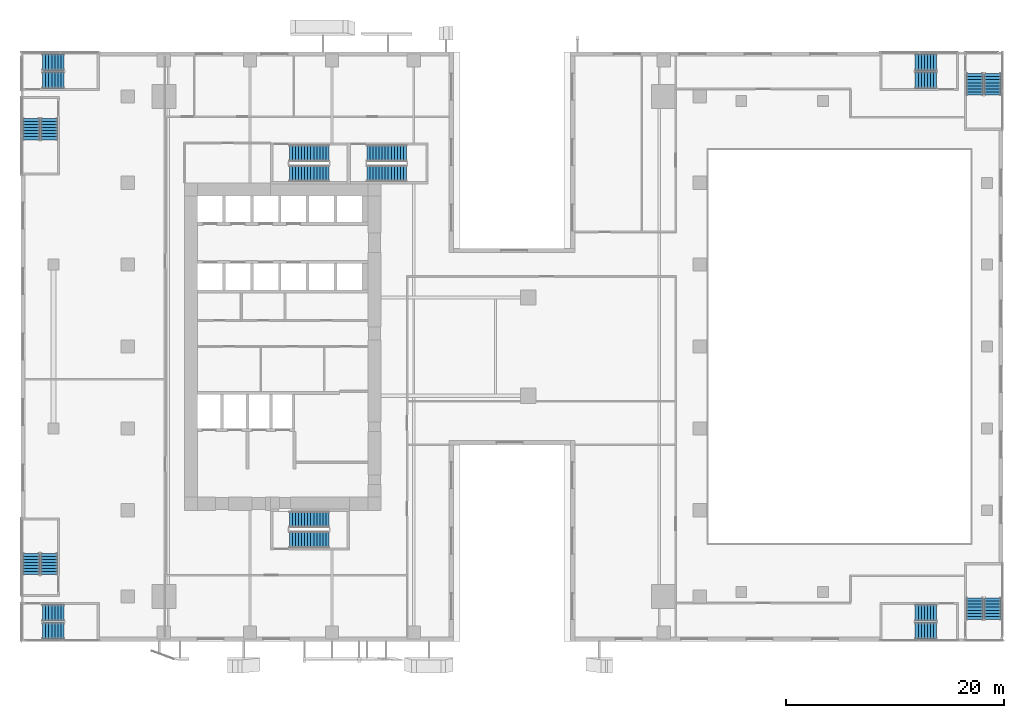
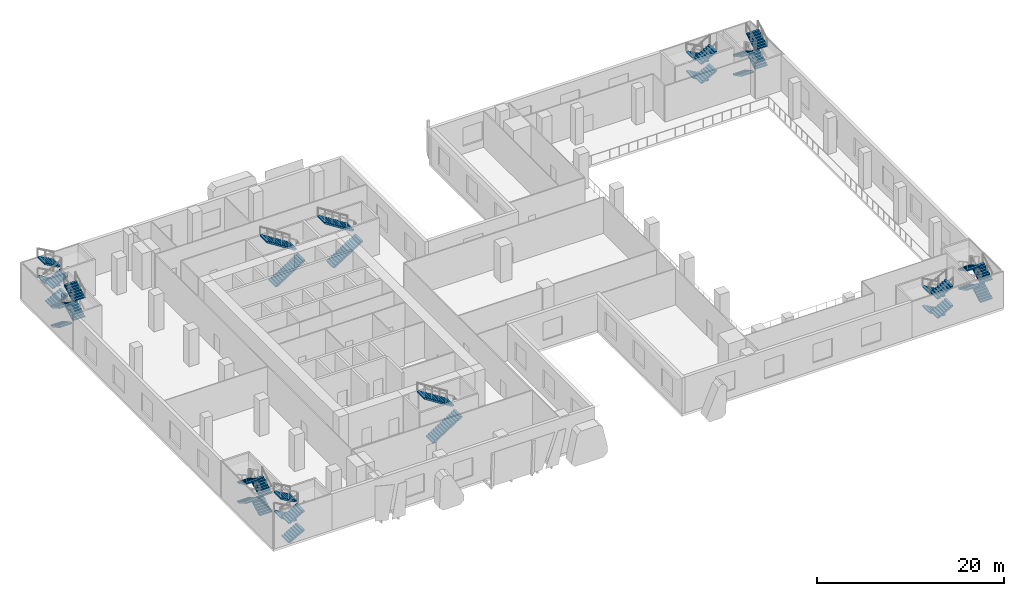
# One storey, part 15 of 23: 38 stair flights, 11 elements without a shape of their own.
"""IFC4 building model written with IfcOpenShell, lengths in metres."""

from ifc_helpers import new_model, si_unit, direction, frame, origin, place, context, subcontext, project, spatial, polyline, outline, extrude, source, transform, mapped, material, type_object, element, aggregate, save


model = new_model("IFC4")

# Units and contexts
model_context = context("Model", 3, precision=1e-05, world=origin(), true_north=direction((0.0, 1.0)))
body_context = subcontext(model_context, "Body", "Model", "MODEL_VIEW")
ifc_project = project(units=[si_unit("LENGTHUNIT", "METRE"), si_unit("AREAUNIT", "SQUARE_METRE"), si_unit("VOLUMEUNIT", "CUBIC_METRE"), si_unit("PLANEANGLEUNIT", "RADIAN"), si_unit("MASSUNIT", "GRAM", prefix="KILO")], contexts=[model_context])

# Site, building, storey
site_placement = place(None, origin())
site = spatial("IfcSite", under=ifc_project, at=site_placement, CompositionType="ELEMENT")
building_placement = place(site_placement, origin())
building = spatial("IfcBuilding", under=site, at=building_placement, Name="Khomas Fold Tower", CompositionType="ELEMENT")
storey_placement = place(building_placement, frame((0.0, 0.0, 18.5)))
storey = spatial("IfcBuildingStorey", under=building, at=storey_placement, Name="L03", CompositionType="ELEMENT", Elevation=18.5)

# Stair, stair flights
ifc_material_1 = material(Name="Concrete C40/50", Category="concrete")
stair_type_1 = type_object("IfcStairType", Name="Stair ST1", PredefinedType="HALF_TURN_STAIR", material=ifc_material_1)
stair_1_placement = place(storey_placement, origin())
stair_1 = element("IfcStair", 1, at=stair_1_placement, inside=storey, type_object=stair_type_1, Name="L03 ST1", PredefinedType="HALF_TURN_STAIR")
ifc_material_2 = material(Name="Concrete C40/50", Category="concrete")
stair_flight_type_1 = type_object("IfcStairFlightType", Name="Stair flight 1500 ST1", PredefinedType="STRAIGHT", material=ifc_material_2)
shared_shape_1 = source(origin(), body_context, "Body", "SweptSolid", [
    extrude(outline(polyline([(0.0, 0.0), (0.0, 0.013671875), (0.0, 0.027587890625), (0.0, 0.041259765625), (0.0, 0.054931640625), (0.0, 0.068603515625), (0.0, 0.08251953125), (0.0, 0.09619140625), (0.0, 0.10986328125), (0.0, 0.12353515625), (0.0, 0.137451171875), (0.0, 0.151123046875), (0.0, 0.164794921875), (0.0, 0.178466796875), (0.280029296875, 0.178466796875), (0.280029296875, 0.357177734375), (0.56005859375, 0.357177734375), (0.56005859375, 0.53564453125), (0.840087890625, 0.53564453125), (0.840087890625, 0.71435546875), (1.1201171875, 0.71435546875), (1.1201171875, 0.892822265625), (1.39990234375, 0.892822265625), (1.39990234375, 1.071533203125), (1.679931640625, 1.071533203125), (1.679931640625, 1.25), (1.9599609375, 1.25), (1.9599609375, 1.428466796875), (2.239990234375, 1.428466796875), (2.239990234375, 1.607177734375), (2.52001953125, 1.607177734375), (2.52001953125, 1.78564453125), (2.800048828125, 1.78564453125), (2.800048828125, 1.96435546875), (3.080078125, 1.96435546875), (3.080078125, 2.142822265625), (3.360107421875, 2.142822265625), (3.360107421875, 2.321533203125), (3.639892578125, 2.321533203125), (3.639892578125, 2.5), (3.639892578125, 2.47265625), (3.639892578125, 2.445068359375), (3.639892578125, 2.417724609375), (3.639892578125, 2.390380859375), (3.639892578125, 2.363037109375), (3.639892578125, 2.33544921875), (3.639892578125, 2.30810546875), (3.639892578125, 2.28076171875), (3.639892578125, 2.253173828125), (3.639892578125, 2.225830078125), (3.639892578125, 2.198486328125), (3.639892578125, 2.171142578125), (3.639892578125, 2.1435546875), (0.27880859375, 0.0), (0.0, 0.0)])), frame((0.0, 0.75, 0.0), z_axis=(0.0, -1.0, 0.0), x_axis=(1.0, 0.0, 0.0)), (0.0, 0.0, 1.0), 1.5),
])
stair_flight_1_placement = place(storey_placement, frame((15.60009765625, 42.85009765625, 0.0), z_axis=(0.0, 0.0, 1.0), x_axis=(1.0, 0.0, 0.0)))
stair_flight_1 = element("IfcStairFlight", 2, at=stair_flight_1_placement, type_object=stair_flight_type_1, Name="ST1 flight 1", NumberOfRisers=14, NumberOfTreads=13, PredefinedType="STRAIGHT", RiserHeight=0.178571429, TreadLength=0.28, context=body_context, shape_type="MappedRepresentation", body=[
    mapped(shared_shape_1, transform((0.0, 0.0, 0.0))),
])
stair_flight_2_placement = place(storey_placement, frame((19.239990234375, 44.699951171875, 2.5), z_axis=(0.0, 0.0, 1.0), x_axis=(-1.0, 0.0, 0.0)))
stair_flight_2 = element("IfcStairFlight", 3, at=stair_flight_2_placement, type_object=stair_flight_type_1, Name="ST1 flight 2", NumberOfRisers=14, NumberOfTreads=13, PredefinedType="STRAIGHT", RiserHeight=0.178571429, TreadLength=0.28, context=body_context, shape_type="MappedRepresentation", body=[
    mapped(shared_shape_1, transform((0.0, 0.0, 0.0))),
])
aggregate(stair_1, [stair_flight_1, stair_flight_2])

ifc_material_3 = material(Name="Concrete C40/50", Category="concrete")
stair_type_2 = type_object("IfcStairType", Name="Stair ST2", PredefinedType="HALF_TURN_STAIR", material=ifc_material_3)
stair_2_placement = place(storey_placement, origin())
stair_2 = element("IfcStair", 4, at=stair_2_placement, inside=storey, type_object=stair_type_2, Name="L03 ST2", PredefinedType="HALF_TURN_STAIR")
ifc_material_4 = material(Name="Concrete C40/50", Category="concrete")
stair_flight_type_2 = type_object("IfcStairFlightType", Name="Stair flight 1500 ST2", PredefinedType="STRAIGHT", material=ifc_material_4)
stair_flight_3_placement = place(storey_placement, frame((15.60009765625, 9.300048828125, 0.0), z_axis=(0.0, 0.0, 1.0), x_axis=(1.0, 0.0, 0.0)))
stair_flight_3 = element("IfcStairFlight", 5, at=stair_flight_3_placement, type_object=stair_flight_type_2, Name="ST2 flight 1", NumberOfRisers=14, NumberOfTreads=13, PredefinedType="STRAIGHT", RiserHeight=0.178571429, TreadLength=0.28, context=body_context, shape_type="MappedRepresentation", body=[
    mapped(shared_shape_1, transform((0.0, 0.0, 0.0))),
])
stair_flight_4_placement = place(storey_placement, frame((19.239990234375, 11.14990234375, 2.5), z_axis=(0.0, 0.0, 1.0), x_axis=(-1.0, 0.0, 0.0)))
stair_flight_4 = element("IfcStairFlight", 6, at=stair_flight_4_placement, type_object=stair_flight_type_2, Name="ST2 flight 2", NumberOfRisers=14, NumberOfTreads=13, PredefinedType="STRAIGHT", RiserHeight=0.178571429, TreadLength=0.28, context=body_context, shape_type="MappedRepresentation", body=[
    mapped(shared_shape_1, transform((0.0, 0.0, 0.0))),
])
aggregate(stair_2, [stair_flight_3, stair_flight_4])

ifc_material_5 = material(Name="Concrete C40/50", Category="concrete")
stair_type_3 = type_object("IfcStairType", Name="Stair ST3", PredefinedType="HALF_TURN_STAIR", material=ifc_material_5)
stair_3_placement = place(storey_placement, origin())
stair_3 = element("IfcStair", 7, at=stair_3_placement, inside=storey, type_object=stair_type_3, Name="L03 ST3", PredefinedType="HALF_TURN_STAIR")
ifc_material_6 = material(Name="Concrete C40/50", Category="concrete")
stair_flight_type_3 = type_object("IfcStairFlightType", Name="Stair flight 1500 ST3", PredefinedType="STRAIGHT", material=ifc_material_6)
stair_flight_5_placement = place(storey_placement, frame((22.699951171875, 42.85009765625, 0.0), z_axis=(0.0, 0.0, 1.0), x_axis=(1.0, 0.0, 0.0)))
stair_flight_5 = element("IfcStairFlight", 8, at=stair_flight_5_placement, type_object=stair_flight_type_3, Name="ST3 flight 1", NumberOfRisers=14, NumberOfTreads=13, PredefinedType="STRAIGHT", RiserHeight=0.178571429, TreadLength=0.28, context=body_context, shape_type="MappedRepresentation", body=[
    mapped(shared_shape_1, transform((0.0, 0.0, 0.0))),
])
stair_flight_6_placement = place(storey_placement, frame((26.340087890625, 44.699951171875, 2.5), z_axis=(0.0, 0.0, 1.0), x_axis=(-1.0, 0.0, 0.0)))
stair_flight_6 = element("IfcStairFlight", 9, at=stair_flight_6_placement, type_object=stair_flight_type_3, Name="ST3 flight 2", NumberOfRisers=14, NumberOfTreads=13, PredefinedType="STRAIGHT", RiserHeight=0.178571429, TreadLength=0.28, context=body_context, shape_type="MappedRepresentation", body=[
    mapped(shared_shape_1, transform((0.0, 0.0, 0.0))),
])
aggregate(stair_3, [stair_flight_5, stair_flight_6])

ifc_material_7 = material(Name="Concrete C40/50", Category="concrete")
stair_type_4 = type_object("IfcStairType", Name="Stair PS1", PredefinedType="HALF_TURN_STAIR", material=ifc_material_7)
stair_4_placement = place(storey_placement, origin())
stair_4 = element("IfcStair", 10, at=stair_4_placement, inside=storey, type_object=stair_type_4, Name="L03 PS1", PredefinedType="HALF_TURN_STAIR")
ifc_material_8 = material(Name="Concrete C40/50", Category="concrete")
stair_flight_type_4 = type_object("IfcStairFlightType", Name="Stair flight 1500 PS1", PredefinedType="STRAIGHT", material=ifc_material_8)
shared_shape_2 = source(origin(), body_context, "Body", "SweptSolid", [
    extrude(outline(polyline([(0.0, 0.0), (0.0, 0.001220703125), (0.0, 0.002685546875), (0.0, 0.00390625), (0.0, 0.005126953125), (0.0, 0.00634765625), (0.0, 0.0078125), (0.0, 0.009033203125), (0.0, 0.01025390625), (0.0, 0.01171875), (0.0, 0.012939453125), (0.0, 0.01416015625), (0.0, 0.015380859375), (0.0, 0.016845703125), (0.0, 0.01806640625), (0.0, 0.019287109375), (0.0, 0.020751953125), (0.0, 0.02197265625), (0.0, 0.023193359375), (0.0, 0.0244140625), (0.0, 0.02587890625), (0.0, 0.027099609375), (0.0, 0.0283203125), (0.0, 0.02978515625), (0.0, 0.031005859375), (0.0, 0.0322265625), (0.0, 0.03369140625), (0.0, 0.034912109375), (0.0, 0.0361328125), (0.0, 0.037353515625), (0.0, 0.038818359375), (0.0, 0.0400390625), (0.0, 0.041259765625), (0.0, 0.042724609375), (0.0, 0.0439453125), (0.0, 0.045166015625), (0.0, 0.04638671875), (0.0, 0.0478515625), (0.0, 0.049072265625), (0.0, 0.05029296875), (0.0, 0.0517578125), (0.0, 0.052978515625), (0.0, 0.05419921875), (0.0, 0.055419921875), (0.0, 0.056884765625), (0.0, 0.05810546875), (0.0, 0.059326171875), (0.0, 0.060791015625), (0.0, 0.06201171875), (0.0, 0.063232421875), (0.0, 0.064453125), (0.0, 0.06591796875), (0.0, 0.067138671875), (0.0, 0.068359375), (0.0, 0.06982421875), (0.0, 0.071044921875), (0.0, 0.072265625), (0.0, 0.073486328125), (0.0, 0.074951171875), (0.0, 0.076171875), (0.0, 0.077392578125), (0.0, 0.078857421875), (0.0, 0.080078125), (0.0, 0.081298828125), (0.0, 0.082763671875), (0.0, 0.083984375), (0.0, 0.085205078125), (0.0, 0.08642578125), (0.0, 0.087890625), (0.0, 0.089111328125), (0.0, 0.09033203125), (0.0, 0.091796875), (0.0, 0.093017578125), (0.0, 0.09423828125), (0.0, 0.095458984375), (0.0, 0.096923828125), (0.0, 0.09814453125), (0.0, 0.099365234375), (0.0, 0.100830078125), (0.0, 0.10205078125), (0.0, 0.103271484375), (0.0, 0.1044921875), (0.0, 0.10595703125), (0.0, 0.107177734375), (0.0, 0.1083984375), (0.0, 0.10986328125), (0.0, 0.111083984375), (0.0, 0.1123046875), (0.0, 0.113525390625), (0.0, 0.114990234375), (0.0, 0.1162109375), (0.0, 0.117431640625), (0.0, 0.118896484375), (0.0, 0.1201171875), (0.0, 0.121337890625), (0.0, 0.12255859375), (0.0, 0.1240234375), (0.0, 0.125244140625), (0.0, 0.12646484375), (0.0, 0.1279296875), (0.0, 0.129150390625), (0.0, 0.13037109375), (0.0, 0.1318359375), (0.0, 0.133056640625), (0.0, 0.13427734375), (0.0, 0.135498046875), (0.0, 0.136962890625), (0.0, 0.13818359375), (0.0, 0.139404296875), (0.0, 0.140869140625), (0.0, 0.14208984375), (0.0, 0.143310546875), (0.0, 0.14453125), (0.0, 0.14599609375), (0.0, 0.147216796875), (0.0, 0.1484375), (0.0, 0.14990234375), (0.0, 0.151123046875), (0.0, 0.15234375), (0.0, 0.153564453125), (0.0, 0.155029296875), (0.0, 0.15625), (0.280029296875, 0.15625), (0.280029296875, 0.3125), (0.56005859375, 0.3125), (0.56005859375, 0.46875), (0.840087890625, 0.46875), (0.840087890625, 0.625), (1.1201171875, 0.625), (1.1201171875, 0.78125), (1.39990234375, 0.78125), (1.39990234375, 0.9375), (1.679931640625, 0.9375), (1.679931640625, 1.09375), (1.9599609375, 1.09375), (1.9599609375, 1.25), (1.9599609375, 1.247314453125), (1.9599609375, 1.24462890625), (1.9599609375, 1.241943359375), (1.9599609375, 1.2392578125), (1.9599609375, 1.236328125), (1.9599609375, 1.233642578125), (1.9599609375, 1.23095703125), (1.9599609375, 1.228271484375), (1.9599609375, 1.2255859375), (1.9599609375, 1.222900390625), (1.9599609375, 1.22021484375), (1.9599609375, 1.217529296875), (1.9599609375, 1.21484375), (1.9599609375, 1.212158203125), (1.9599609375, 1.209228515625), (1.9599609375, 1.20654296875), (1.9599609375, 1.203857421875), (1.9599609375, 1.201171875), (1.9599609375, 1.198486328125), (1.9599609375, 1.19580078125), (1.9599609375, 1.193115234375), (1.9599609375, 1.1904296875), (1.9599609375, 1.187744140625), (1.9599609375, 1.18505859375), (1.9599609375, 1.18212890625), (1.9599609375, 1.179443359375), (1.9599609375, 1.1767578125), (1.9599609375, 1.174072265625), (1.9599609375, 1.17138671875), (1.9599609375, 1.168701171875), (1.9599609375, 1.166015625), (1.9599609375, 1.163330078125), (1.9599609375, 1.16064453125), (1.9599609375, 1.157958984375), (1.9599609375, 1.155029296875), (1.9599609375, 1.15234375), (1.9599609375, 1.149658203125), (1.9599609375, 1.14697265625), (1.9599609375, 1.144287109375), (1.9599609375, 1.1416015625), (1.9599609375, 1.138916015625), (1.9599609375, 1.13623046875), (1.9599609375, 1.133544921875), (1.9599609375, 1.130859375), (1.9599609375, 1.1279296875), (1.9599609375, 1.125244140625), (1.9599609375, 1.12255859375), (1.9599609375, 1.119873046875), (1.9599609375, 1.1171875), (1.9599609375, 1.114501953125), (1.9599609375, 1.11181640625), (1.9599609375, 1.109130859375), (1.9599609375, 1.1064453125), (1.9599609375, 1.103759765625), (1.9599609375, 1.100830078125), (1.9599609375, 1.09814453125), (1.9599609375, 1.095458984375), (1.9599609375, 1.0927734375), (1.9599609375, 1.090087890625), (1.9599609375, 1.08740234375), (1.9599609375, 1.084716796875), (1.9599609375, 1.08203125), (1.9599609375, 1.079345703125), (1.9599609375, 1.07666015625), (1.9599609375, 1.07373046875), (1.9599609375, 1.071044921875), (1.9599609375, 1.068359375), (1.9599609375, 1.065673828125), (1.9599609375, 1.06298828125), (1.9599609375, 1.060302734375), (1.9599609375, 1.0576171875), (1.9599609375, 1.054931640625), (1.9599609375, 1.05224609375), (1.9599609375, 1.049560546875), (1.9599609375, 1.046630859375), (1.9599609375, 1.0439453125), (1.9599609375, 1.041259765625), (1.9599609375, 1.03857421875), (1.9599609375, 1.035888671875), (1.9599609375, 1.033203125), (1.9599609375, 1.030517578125), (1.9599609375, 1.02783203125), (1.9599609375, 1.025146484375), (1.9599609375, 1.0224609375), (1.9599609375, 1.01953125), (1.9599609375, 1.016845703125), (1.9599609375, 1.01416015625), (1.9599609375, 1.011474609375), (1.9599609375, 1.0087890625), (1.9599609375, 1.006103515625), (1.9599609375, 1.00341796875), (1.9599609375, 1.000732421875), (1.9599609375, 0.998046875), (1.9599609375, 0.995361328125), (1.9599609375, 0.992431640625), (1.9599609375, 0.98974609375), (1.9599609375, 0.987060546875), (1.9599609375, 0.984375), (1.9599609375, 0.981689453125), (1.9599609375, 0.97900390625), (1.9599609375, 0.976318359375), (1.9599609375, 0.9736328125), (1.9599609375, 0.970947265625), (1.9599609375, 0.96826171875), (1.9599609375, 0.96533203125), (1.9599609375, 0.962646484375), (1.9599609375, 0.9599609375), (1.9599609375, 0.957275390625), (1.9599609375, 0.95458984375), (1.9599609375, 0.951904296875), (1.9599609375, 0.94921875), (1.9599609375, 0.946533203125), (1.9599609375, 0.94384765625), (1.9599609375, 0.941162109375), (1.9599609375, 0.938232421875), (1.9599609375, 0.935546875), (1.9599609375, 0.932861328125), (1.9599609375, 0.93017578125), (1.9599609375, 0.927490234375), (1.9599609375, 0.9248046875), (1.9599609375, 0.922119140625), (0.3076171875, 0.0), (0.0, 0.0)])), frame((0.0, 0.75, 0.0), z_axis=(0.0, -1.0, 0.0), x_axis=(1.0, 0.0, 0.0)), (0.0, 0.0, 1.0), 1.5),
])
stair_flight_7_placement = place(storey_placement, frame((-7.0, 0.949951171875, 0.0), z_axis=(0.0, 0.0, 1.0), x_axis=(1.0, 0.0, 0.0)))
stair_flight_7 = element("IfcStairFlight", 11, at=stair_flight_7_placement, type_object=stair_flight_type_4, Name="PS1 flight 1", NumberOfRisers=8, NumberOfTreads=7, PredefinedType="STRAIGHT", RiserHeight=0.15625, TreadLength=0.28, context=body_context, shape_type="MappedRepresentation", body=[
    mapped(shared_shape_2, transform((0.0, 0.0, 0.0))),
])
stair_flight_8_placement = place(storey_placement, frame((-5.0400390625, 2.60009765625, 1.25), z_axis=(0.0, 0.0, 1.0), x_axis=(-1.0, 0.0, 0.0)))
stair_flight_8 = element("IfcStairFlight", 12, at=stair_flight_8_placement, type_object=stair_flight_type_4, Name="PS1 flight 2", NumberOfRisers=8, NumberOfTreads=7, PredefinedType="STRAIGHT", RiserHeight=0.15625, TreadLength=0.28, context=body_context, shape_type="MappedRepresentation", body=[
    mapped(shared_shape_2, transform((0.0, 0.0, 0.0))),
])
stair_flight_9_placement = place(storey_placement, frame((-7.0, 0.949951171875, 2.5), z_axis=(0.0, 0.0, 1.0), x_axis=(1.0, 0.0, 0.0)))
stair_flight_9 = element("IfcStairFlight", 13, at=stair_flight_9_placement, type_object=stair_flight_type_4, Name="PS1 flight 3", NumberOfRisers=8, NumberOfTreads=7, PredefinedType="STRAIGHT", RiserHeight=0.15625, TreadLength=0.28, context=body_context, shape_type="MappedRepresentation", body=[
    mapped(shared_shape_2, transform((0.0, 0.0, 0.0))),
])
stair_flight_10_placement = place(storey_placement, frame((-5.0400390625, 2.60009765625, 3.75), z_axis=(0.0, 0.0, 1.0), x_axis=(-1.0, 0.0, 0.0)))
stair_flight_10 = element("IfcStairFlight", 14, at=stair_flight_10_placement, type_object=stair_flight_type_4, Name="PS1 flight 4", NumberOfRisers=8, NumberOfTreads=7, PredefinedType="STRAIGHT", RiserHeight=0.15625, TreadLength=0.28, context=body_context, shape_type="MappedRepresentation", body=[
    mapped(shared_shape_2, transform((0.0, 0.0, 0.0))),
])
aggregate(stair_4, [stair_flight_7, stair_flight_8, stair_flight_9, stair_flight_10])

ifc_material_9 = material(Name="Concrete C40/50", Category="concrete")
stair_type_5 = type_object("IfcStairType", Name="Stair PS2", PredefinedType="HALF_TURN_STAIR", material=ifc_material_9)
stair_5_placement = place(storey_placement, origin())
stair_5 = element("IfcStair", 15, at=stair_5_placement, inside=storey, type_object=stair_type_5, Name="L03 PS2", PredefinedType="HALF_TURN_STAIR")
ifc_material_10 = material(Name="Concrete C40/50", Category="concrete")
stair_flight_type_5 = type_object("IfcStairFlightType", Name="Stair flight 1500 PS2", PredefinedType="STRAIGHT", material=ifc_material_10)
stair_flight_11_placement = place(storey_placement, frame((-6.39990234375, 6.10009765625, 0.0), z_axis=(0.0, 0.0, 1.0), x_axis=(0.0, 1.0, 0.0)))
stair_flight_11 = element("IfcStairFlight", 16, at=stair_flight_11_placement, type_object=stair_flight_type_5, Name="PS2 flight 1", NumberOfRisers=8, NumberOfTreads=7, PredefinedType="STRAIGHT", RiserHeight=0.15625, TreadLength=0.28, context=body_context, shape_type="MappedRepresentation", body=[
    mapped(shared_shape_2, transform((0.0, 0.0, 0.0))),
])
stair_flight_12_placement = place(storey_placement, frame((-8.050048828125, 8.06005859375, 1.25), z_axis=(0.0, 0.0, 1.0), x_axis=(0.0, -1.0, 0.0)))
stair_flight_12 = element("IfcStairFlight", 17, at=stair_flight_12_placement, type_object=stair_flight_type_5, Name="PS2 flight 2", NumberOfRisers=8, NumberOfTreads=7, PredefinedType="STRAIGHT", RiserHeight=0.15625, TreadLength=0.28, context=body_context, shape_type="MappedRepresentation", body=[
    mapped(shared_shape_2, transform((0.0, 0.0, 0.0))),
])
stair_flight_13_placement = place(storey_placement, frame((-6.39990234375, 6.10009765625, 2.5), z_axis=(0.0, 0.0, 1.0), x_axis=(0.0, 1.0, 0.0)))
stair_flight_13 = element("IfcStairFlight", 18, at=stair_flight_13_placement, type_object=stair_flight_type_5, Name="PS2 flight 3", NumberOfRisers=8, NumberOfTreads=7, PredefinedType="STRAIGHT", RiserHeight=0.15625, TreadLength=0.28, context=body_context, shape_type="MappedRepresentation", body=[
    mapped(shared_shape_2, transform((0.0, 0.0, 0.0))),
])
stair_flight_14_placement = place(storey_placement, frame((-8.050048828125, 8.06005859375, 3.75), z_axis=(0.0, 0.0, 1.0), x_axis=(0.0, -1.0, 0.0)))
stair_flight_14 = element("IfcStairFlight", 19, at=stair_flight_14_placement, type_object=stair_flight_type_5, Name="PS2 flight 4", NumberOfRisers=8, NumberOfTreads=7, PredefinedType="STRAIGHT", RiserHeight=0.15625, TreadLength=0.28, context=body_context, shape_type="MappedRepresentation", body=[
    mapped(shared_shape_2, transform((0.0, 0.0, 0.0))),
])
aggregate(stair_5, [stair_flight_11, stair_flight_12, stair_flight_13, stair_flight_14])

ifc_material_11 = material(Name="Concrete C40/50", Category="concrete")
stair_type_6 = type_object("IfcStairType", Name="Stair PS3", PredefinedType="HALF_TURN_STAIR", material=ifc_material_11)
stair_6_placement = place(storey_placement, origin())
stair_6 = element("IfcStair", 20, at=stair_6_placement, inside=storey, type_object=stair_type_6, Name="L03 PS3", PredefinedType="HALF_TURN_STAIR")
ifc_material_12 = material(Name="Concrete C40/50", Category="concrete")
stair_flight_type_6 = type_object("IfcStairFlightType", Name="Stair flight 1500 PS3", PredefinedType="STRAIGHT", material=ifc_material_12)
stair_flight_15_placement = place(storey_placement, frame((74.89990234375, 2.60009765625, 0.0), z_axis=(0.0, 0.0, 1.0), x_axis=(-1.0, 0.0, 0.0)))
stair_flight_15 = element("IfcStairFlight", 21, at=stair_flight_15_placement, type_object=stair_flight_type_6, Name="PS3 flight 1", NumberOfRisers=8, NumberOfTreads=7, PredefinedType="STRAIGHT", RiserHeight=0.15625, TreadLength=0.28, context=body_context, shape_type="MappedRepresentation", body=[
    mapped(shared_shape_2, transform((0.0, 0.0, 0.0))),
])
stair_flight_16_placement = place(storey_placement, frame((72.93994140625, 0.949951171875, 1.25), z_axis=(0.0, 0.0, 1.0), x_axis=(1.0, 0.0, 0.0)))
stair_flight_16 = element("IfcStairFlight", 22, at=stair_flight_16_placement, type_object=stair_flight_type_6, Name="PS3 flight 2", NumberOfRisers=8, NumberOfTreads=7, PredefinedType="STRAIGHT", RiserHeight=0.15625, TreadLength=0.28, context=body_context, shape_type="MappedRepresentation", body=[
    mapped(shared_shape_2, transform((0.0, 0.0, 0.0))),
])
stair_flight_17_placement = place(storey_placement, frame((74.89990234375, 2.60009765625, 2.5), z_axis=(0.0, 0.0, 1.0), x_axis=(-1.0, 0.0, 0.0)))
stair_flight_17 = element("IfcStairFlight", 23, at=stair_flight_17_placement, type_object=stair_flight_type_6, Name="PS3 flight 3", NumberOfRisers=8, NumberOfTreads=7, PredefinedType="STRAIGHT", RiserHeight=0.15625, TreadLength=0.28, context=body_context, shape_type="MappedRepresentation", body=[
    mapped(shared_shape_2, transform((0.0, 0.0, 0.0))),
])
stair_flight_18_placement = place(storey_placement, frame((72.93994140625, 0.949951171875, 3.75), z_axis=(0.0, 0.0, 1.0), x_axis=(1.0, 0.0, 0.0)))
stair_flight_18 = element("IfcStairFlight", 24, at=stair_flight_18_placement, type_object=stair_flight_type_6, Name="PS3 flight 4", NumberOfRisers=8, NumberOfTreads=7, PredefinedType="STRAIGHT", RiserHeight=0.15625, TreadLength=0.28, context=body_context, shape_type="MappedRepresentation", body=[
    mapped(shared_shape_2, transform((0.0, 0.0, 0.0))),
])
aggregate(stair_6, [stair_flight_15, stair_flight_16, stair_flight_17, stair_flight_18])

ifc_material_13 = material(Name="Concrete C40/50", Category="concrete")
stair_type_7 = type_object("IfcStairType", Name="Stair PS4", PredefinedType="HALF_TURN_STAIR", material=ifc_material_13)
stair_7_placement = place(storey_placement, origin())
stair_7 = element("IfcStair", 25, at=stair_7_placement, inside=storey, type_object=stair_type_7, Name="L03 PS4", PredefinedType="HALF_TURN_STAIR")
ifc_material_14 = material(Name="Concrete C40/50", Category="concrete")
stair_flight_type_7 = type_object("IfcStairFlightType", Name="Stair flight 1500 PS4", PredefinedType="STRAIGHT", material=ifc_material_14)
stair_flight_19_placement = place(storey_placement, frame((80.050048828125, 2.0, 0.0), z_axis=(0.0, 0.0, 1.0), x_axis=(0.0, 1.0, 0.0)))
stair_flight_19 = element("IfcStairFlight", 26, at=stair_flight_19_placement, type_object=stair_flight_type_7, Name="PS4 flight 1", NumberOfRisers=8, NumberOfTreads=7, PredefinedType="STRAIGHT", RiserHeight=0.15625, TreadLength=0.28, context=body_context, shape_type="MappedRepresentation", body=[
    mapped(shared_shape_2, transform((0.0, 0.0, 0.0))),
])
stair_flight_20_placement = place(storey_placement, frame((78.39990234375, 3.9599609375, 1.25), z_axis=(0.0, 0.0, 1.0), x_axis=(0.0, -1.0, 0.0)))
stair_flight_20 = element("IfcStairFlight", 27, at=stair_flight_20_placement, type_object=stair_flight_type_7, Name="PS4 flight 2", NumberOfRisers=8, NumberOfTreads=7, PredefinedType="STRAIGHT", RiserHeight=0.15625, TreadLength=0.28, context=body_context, shape_type="MappedRepresentation", body=[
    mapped(shared_shape_2, transform((0.0, 0.0, 0.0))),
])
stair_flight_21_placement = place(storey_placement, frame((80.050048828125, 2.0, 2.5), z_axis=(0.0, 0.0, 1.0), x_axis=(0.0, 1.0, 0.0)))
stair_flight_21 = element("IfcStairFlight", 28, at=stair_flight_21_placement, type_object=stair_flight_type_7, Name="PS4 flight 3", NumberOfRisers=8, NumberOfTreads=7, PredefinedType="STRAIGHT", RiserHeight=0.15625, TreadLength=0.28, context=body_context, shape_type="MappedRepresentation", body=[
    mapped(shared_shape_2, transform((0.0, 0.0, 0.0))),
])
stair_flight_22_placement = place(storey_placement, frame((78.39990234375, 3.9599609375, 3.75), z_axis=(0.0, 0.0, 1.0), x_axis=(0.0, -1.0, 0.0)))
stair_flight_22 = element("IfcStairFlight", 29, at=stair_flight_22_placement, type_object=stair_flight_type_7, Name="PS4 flight 4", NumberOfRisers=8, NumberOfTreads=7, PredefinedType="STRAIGHT", RiserHeight=0.15625, TreadLength=0.28, context=body_context, shape_type="MappedRepresentation", body=[
    mapped(shared_shape_2, transform((0.0, 0.0, 0.0))),
])
aggregate(stair_7, [stair_flight_19, stair_flight_20, stair_flight_21, stair_flight_22])

ifc_material_15 = material(Name="Concrete C40/50", Category="concrete")
stair_type_8 = type_object("IfcStairType", Name="Stair PS5", PredefinedType="HALF_TURN_STAIR", material=ifc_material_15)
stair_8_placement = place(storey_placement, origin())
stair_8 = element("IfcStair", 30, at=stair_8_placement, inside=storey, type_object=stair_type_8, Name="L03 PS5", PredefinedType="HALF_TURN_STAIR")
ifc_material_16 = material(Name="Concrete C40/50", Category="concrete")
stair_flight_type_8 = type_object("IfcStairFlightType", Name="Stair flight 1500 PS5", PredefinedType="STRAIGHT", material=ifc_material_16)
stair_flight_23_placement = place(storey_placement, frame((74.89990234375, 53.050048828125, 0.0), z_axis=(0.0, 0.0, 1.0), x_axis=(-1.0, 0.0, 0.0)))
stair_flight_23 = element("IfcStairFlight", 31, at=stair_flight_23_placement, type_object=stair_flight_type_8, Name="PS5 flight 1", NumberOfRisers=8, NumberOfTreads=7, PredefinedType="STRAIGHT", RiserHeight=0.15625, TreadLength=0.28, context=body_context, shape_type="MappedRepresentation", body=[
    mapped(shared_shape_2, transform((0.0, 0.0, 0.0))),
])
stair_flight_24_placement = place(storey_placement, frame((72.93994140625, 51.39990234375, 1.25), z_axis=(0.0, 0.0, 1.0), x_axis=(1.0, 0.0, 0.0)))
stair_flight_24 = element("IfcStairFlight", 32, at=stair_flight_24_placement, type_object=stair_flight_type_8, Name="PS5 flight 2", NumberOfRisers=8, NumberOfTreads=7, PredefinedType="STRAIGHT", RiserHeight=0.15625, TreadLength=0.28, context=body_context, shape_type="MappedRepresentation", body=[
    mapped(shared_shape_2, transform((0.0, 0.0, 0.0))),
])
stair_flight_25_placement = place(storey_placement, frame((74.89990234375, 53.050048828125, 2.5), z_axis=(0.0, 0.0, 1.0), x_axis=(-1.0, 0.0, 0.0)))
stair_flight_25 = element("IfcStairFlight", 33, at=stair_flight_25_placement, type_object=stair_flight_type_8, Name="PS5 flight 3", NumberOfRisers=8, NumberOfTreads=7, PredefinedType="STRAIGHT", RiserHeight=0.15625, TreadLength=0.28, context=body_context, shape_type="MappedRepresentation", body=[
    mapped(shared_shape_2, transform((0.0, 0.0, 0.0))),
])
stair_flight_26_placement = place(storey_placement, frame((72.93994140625, 51.39990234375, 3.75), z_axis=(0.0, 0.0, 1.0), x_axis=(1.0, 0.0, 0.0)))
stair_flight_26 = element("IfcStairFlight", 34, at=stair_flight_26_placement, type_object=stair_flight_type_8, Name="PS5 flight 4", NumberOfRisers=8, NumberOfTreads=7, PredefinedType="STRAIGHT", RiserHeight=0.15625, TreadLength=0.28, context=body_context, shape_type="MappedRepresentation", body=[
    mapped(shared_shape_2, transform((0.0, 0.0, 0.0))),
])
aggregate(stair_8, [stair_flight_23, stair_flight_24, stair_flight_25, stair_flight_26])

ifc_material_17 = material(Name="Concrete C40/50", Category="concrete")
stair_type_9 = type_object("IfcStairType", Name="Stair PS6", PredefinedType="HALF_TURN_STAIR", material=ifc_material_17)
stair_9_placement = place(storey_placement, origin())
stair_9 = element("IfcStair", 35, at=stair_9_placement, inside=storey, type_object=stair_type_9, Name="L03 PS6", PredefinedType="HALF_TURN_STAIR")
ifc_material_18 = material(Name="Concrete C40/50", Category="concrete")
stair_flight_type_9 = type_object("IfcStairFlightType", Name="Stair flight 1500 PS6", PredefinedType="STRAIGHT", material=ifc_material_18)
stair_flight_27_placement = place(storey_placement, frame((78.39990234375, 52.0, 0.0), z_axis=(0.0, 0.0, 1.0), x_axis=(0.0, -1.0, 0.0)))
stair_flight_27 = element("IfcStairFlight", 36, at=stair_flight_27_placement, type_object=stair_flight_type_9, Name="PS6 flight 1", NumberOfRisers=8, NumberOfTreads=7, PredefinedType="STRAIGHT", RiserHeight=0.15625, TreadLength=0.28, context=body_context, shape_type="MappedRepresentation", body=[
    mapped(shared_shape_2, transform((0.0, 0.0, 0.0))),
])
stair_flight_28_placement = place(storey_placement, frame((80.050048828125, 50.0400390625, 1.25), z_axis=(0.0, 0.0, 1.0), x_axis=(0.0, 1.0, 0.0)))
stair_flight_28 = element("IfcStairFlight", 37, at=stair_flight_28_placement, type_object=stair_flight_type_9, Name="PS6 flight 2", NumberOfRisers=8, NumberOfTreads=7, PredefinedType="STRAIGHT", RiserHeight=0.15625, TreadLength=0.28, context=body_context, shape_type="MappedRepresentation", body=[
    mapped(shared_shape_2, transform((0.0, 0.0, 0.0))),
])
stair_flight_29_placement = place(storey_placement, frame((78.39990234375, 52.0, 2.5), z_axis=(0.0, 0.0, 1.0), x_axis=(0.0, -1.0, 0.0)))
stair_flight_29 = element("IfcStairFlight", 38, at=stair_flight_29_placement, type_object=stair_flight_type_9, Name="PS6 flight 3", NumberOfRisers=8, NumberOfTreads=7, PredefinedType="STRAIGHT", RiserHeight=0.15625, TreadLength=0.28, context=body_context, shape_type="MappedRepresentation", body=[
    mapped(shared_shape_2, transform((0.0, 0.0, 0.0))),
])
stair_flight_30_placement = place(storey_placement, frame((80.050048828125, 50.0400390625, 3.75), z_axis=(0.0, 0.0, 1.0), x_axis=(0.0, 1.0, 0.0)))
stair_flight_30 = element("IfcStairFlight", 39, at=stair_flight_30_placement, type_object=stair_flight_type_9, Name="PS6 flight 4", NumberOfRisers=8, NumberOfTreads=7, PredefinedType="STRAIGHT", RiserHeight=0.15625, TreadLength=0.28, context=body_context, shape_type="MappedRepresentation", body=[
    mapped(shared_shape_2, transform((0.0, 0.0, 0.0))),
])
aggregate(stair_9, [stair_flight_27, stair_flight_28, stair_flight_29, stair_flight_30])

ifc_material_19 = material(Name="Concrete C40/50", Category="concrete")
stair_type_10 = type_object("IfcStairType", Name="Stair PS7", PredefinedType="HALF_TURN_STAIR", material=ifc_material_19)
stair_10_placement = place(storey_placement, origin())
stair_10 = element("IfcStair", 40, at=stair_10_placement, inside=storey, type_object=stair_type_10, Name="L03 PS7", PredefinedType="HALF_TURN_STAIR")
ifc_material_20 = material(Name="Concrete C40/50", Category="concrete")
stair_flight_type_10 = type_object("IfcStairFlightType", Name="Stair flight 1500 PS7", PredefinedType="STRAIGHT", material=ifc_material_20)
stair_flight_31_placement = place(storey_placement, frame((-7.0, 51.39990234375, 0.0), z_axis=(0.0, 0.0, 1.0), x_axis=(1.0, 0.0, 0.0)))
stair_flight_31 = element("IfcStairFlight", 41, at=stair_flight_31_placement, type_object=stair_flight_type_10, Name="PS7 flight 1", NumberOfRisers=8, NumberOfTreads=7, PredefinedType="STRAIGHT", RiserHeight=0.15625, TreadLength=0.28, context=body_context, shape_type="MappedRepresentation", body=[
    mapped(shared_shape_2, transform((0.0, 0.0, 0.0))),
])
stair_flight_32_placement = place(storey_placement, frame((-5.0400390625, 53.050048828125, 1.25), z_axis=(0.0, 0.0, 1.0), x_axis=(-1.0, 0.0, 0.0)))
stair_flight_32 = element("IfcStairFlight", 42, at=stair_flight_32_placement, type_object=stair_flight_type_10, Name="PS7 flight 2", NumberOfRisers=8, NumberOfTreads=7, PredefinedType="STRAIGHT", RiserHeight=0.15625, TreadLength=0.28, context=body_context, shape_type="MappedRepresentation", body=[
    mapped(shared_shape_2, transform((0.0, 0.0, 0.0))),
])
stair_flight_33_placement = place(storey_placement, frame((-7.0, 51.39990234375, 2.5), z_axis=(0.0, 0.0, 1.0), x_axis=(1.0, 0.0, 0.0)))
stair_flight_33 = element("IfcStairFlight", 43, at=stair_flight_33_placement, type_object=stair_flight_type_10, Name="PS7 flight 3", NumberOfRisers=8, NumberOfTreads=7, PredefinedType="STRAIGHT", RiserHeight=0.15625, TreadLength=0.28, context=body_context, shape_type="MappedRepresentation", body=[
    mapped(shared_shape_2, transform((0.0, 0.0, 0.0))),
])
stair_flight_34_placement = place(storey_placement, frame((-5.0400390625, 53.050048828125, 3.75), z_axis=(0.0, 0.0, 1.0), x_axis=(-1.0, 0.0, 0.0)))
stair_flight_34 = element("IfcStairFlight", 44, at=stair_flight_34_placement, type_object=stair_flight_type_10, Name="PS7 flight 4", NumberOfRisers=8, NumberOfTreads=7, PredefinedType="STRAIGHT", RiserHeight=0.15625, TreadLength=0.28, context=body_context, shape_type="MappedRepresentation", body=[
    mapped(shared_shape_2, transform((0.0, 0.0, 0.0))),
])
aggregate(stair_10, [stair_flight_31, stair_flight_32, stair_flight_33, stair_flight_34])

ifc_material_21 = material(Name="Concrete C40/50", Category="concrete")
stair_type_11 = type_object("IfcStairType", Name="Stair PS8", PredefinedType="HALF_TURN_STAIR", material=ifc_material_21)
stair_11_placement = place(storey_placement, origin())
stair_11 = element("IfcStair", 45, at=stair_11_placement, inside=storey, type_object=stair_type_11, Name="L03 PS8", PredefinedType="HALF_TURN_STAIR")
ifc_material_22 = material(Name="Concrete C40/50", Category="concrete")
stair_flight_type_11 = type_object("IfcStairFlightType", Name="Stair flight 1500 PS8", PredefinedType="STRAIGHT", material=ifc_material_22)
stair_flight_35_placement = place(storey_placement, frame((-8.050048828125, 47.89990234375, 0.0), z_axis=(0.0, 0.0, 1.0), x_axis=(0.0, -1.0, 0.0)))
stair_flight_35 = element("IfcStairFlight", 46, at=stair_flight_35_placement, type_object=stair_flight_type_11, Name="PS8 flight 1", NumberOfRisers=8, NumberOfTreads=7, PredefinedType="STRAIGHT", RiserHeight=0.15625, TreadLength=0.28, context=body_context, shape_type="MappedRepresentation", body=[
    mapped(shared_shape_2, transform((0.0, 0.0, 0.0))),
])
stair_flight_36_placement = place(storey_placement, frame((-6.39990234375, 45.93994140625, 1.25), z_axis=(0.0, 0.0, 1.0), x_axis=(0.0, 1.0, 0.0)))
stair_flight_36 = element("IfcStairFlight", 47, at=stair_flight_36_placement, type_object=stair_flight_type_11, Name="PS8 flight 2", NumberOfRisers=8, NumberOfTreads=7, PredefinedType="STRAIGHT", RiserHeight=0.15625, TreadLength=0.28, context=body_context, shape_type="MappedRepresentation", body=[
    mapped(shared_shape_2, transform((0.0, 0.0, 0.0))),
])
stair_flight_37_placement = place(storey_placement, frame((-8.050048828125, 47.89990234375, 2.5), z_axis=(0.0, 0.0, 1.0), x_axis=(0.0, -1.0, 0.0)))
stair_flight_37 = element("IfcStairFlight", 48, at=stair_flight_37_placement, type_object=stair_flight_type_11, Name="PS8 flight 3", NumberOfRisers=8, NumberOfTreads=7, PredefinedType="STRAIGHT", RiserHeight=0.15625, TreadLength=0.28, context=body_context, shape_type="MappedRepresentation", body=[
    mapped(shared_shape_2, transform((0.0, 0.0, 0.0))),
])
stair_flight_38_placement = place(storey_placement, frame((-6.39990234375, 45.93994140625, 3.75), z_axis=(0.0, 0.0, 1.0), x_axis=(0.0, 1.0, 0.0)))
stair_flight_38 = element("IfcStairFlight", 49, at=stair_flight_38_placement, type_object=stair_flight_type_11, Name="PS8 flight 4", NumberOfRisers=8, NumberOfTreads=7, PredefinedType="STRAIGHT", RiserHeight=0.15625, TreadLength=0.28, context=body_context, shape_type="MappedRepresentation", body=[
    mapped(shared_shape_2, transform((0.0, 0.0, 0.0))),
])
aggregate(stair_11, [stair_flight_35, stair_flight_36, stair_flight_37, stair_flight_38])

save(model, "model.ifc")
